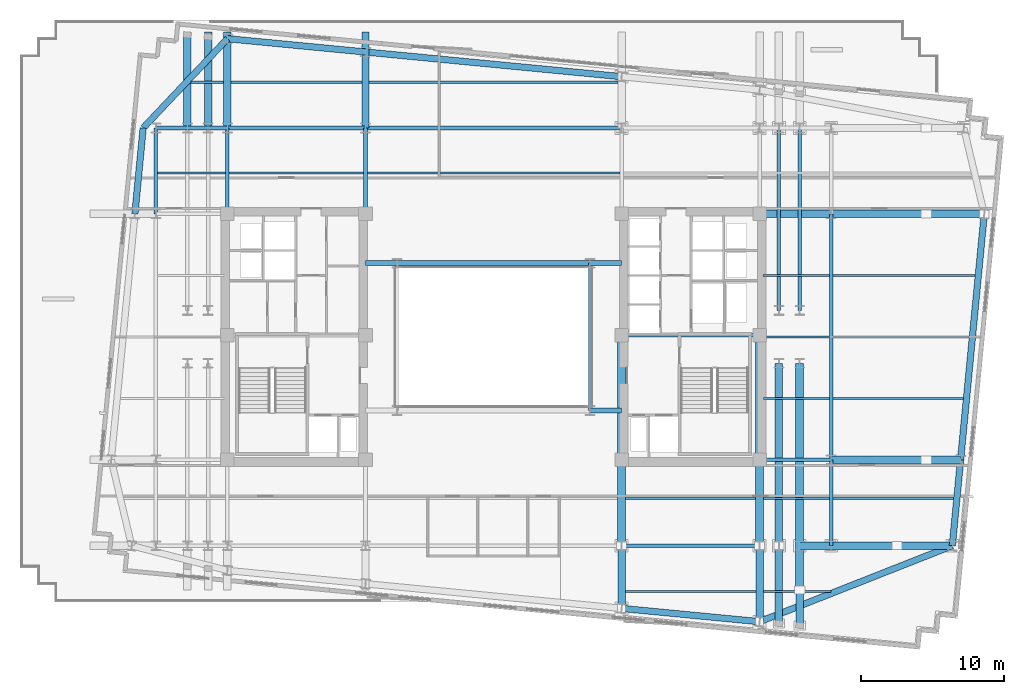
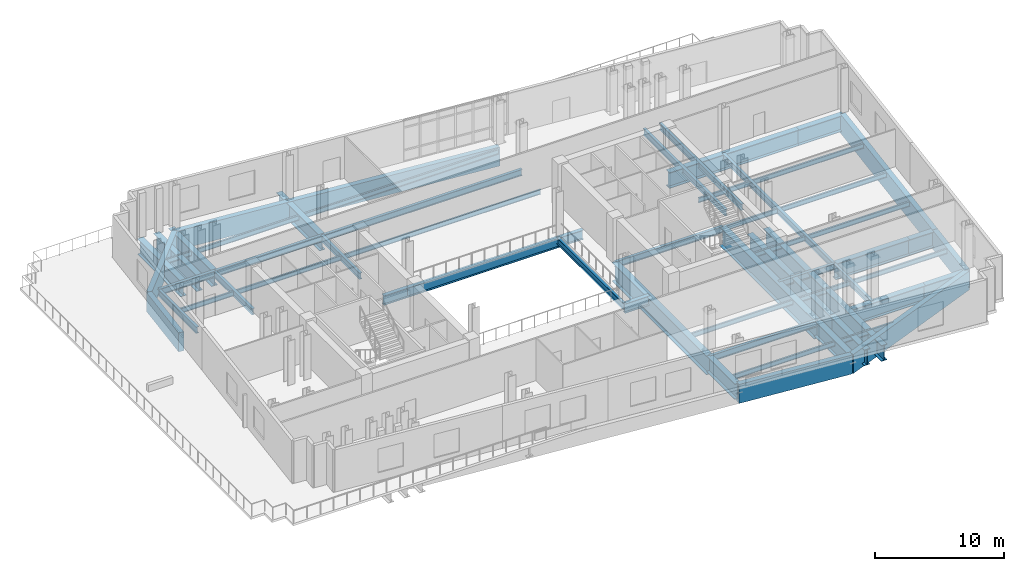
# One storey, part 2 of 11: 61 beams.
"""IFC4 building model written with IfcOpenShell, lengths in metres."""

import ifcopenshell
import ifcopenshell.guid

model = None  # the IFC model being written
_history = None  # IfcOwnerHistory: only IFC2X3 demands one
_inside = {}  # id of a spatial element -> (the spatial element, [elements in it])
_under = {}  # id of a project, library or spatial element -> (it, [spatial elements below it])
_declared = {}  # id of a project -> (the project, [libraries it declares])
_typed = {}  # id of a type object -> (the type object, [elements of that type])
_made_of = {}  # id of a material, layer set ... -> (it, [elements and type objects made of it])


def new_model(schema):
    """Start an empty IFC model of exactly this schema.

    Asked for "IFC4X3", IfcOpenShell would pick the latest addendum, in which some entities
    have other attributes; the version numbers below select the first issue.
    IFC2X3 requires an IfcOwnerHistory on every rooted entity: one is made here for all.
    """
    global model, _history
    if schema == "IFC4X3":
        model = ifcopenshell.file(schema_version=(4, 3, 0, 0))
    else:
        model = ifcopenshell.file(schema=schema)
    _inside.clear()
    _under.clear()
    _declared.clear()
    _typed.clear()
    _made_of.clear()
    _history = None
    if model.schema == "IFC2X3":
        org = make("IfcOrganization", Name="unknown")
        user = make(
            "IfcPersonAndOrganization",
            ThePerson=make("IfcPerson", FamilyName="unknown"),
            TheOrganization=org,
        )
        app = make(
            "IfcApplication",
            ApplicationDeveloper=org,
            Version="unknown",
            ApplicationFullName="unknown",
            ApplicationIdentifier="unknown",
        )
        _history = make(
            "IfcOwnerHistory",
            OwningUser=user,
            OwningApplication=app,
            ChangeAction="ADDED",
            CreationDate=0,
        )
    return model


def make(cls, **values):
    """One entity of the class cls with the attributes given. An attribute that is None is left unset."""
    return model.create_entity(
        cls, **{name: value for name, value in values.items() if value is not None}
    )


def rooted(cls, **values):
    """An entity with a GlobalId (a new one), such as an element, a storey or a relation."""
    return make(cls, GlobalId=ifcopenshell.guid.new(), OwnerHistory=_history, **values)


def si_unit(unit_type, name, prefix=None):
    """IfcSIUnit, for example si_unit("LENGTHUNIT", "METRE", prefix="MILLI")."""
    return make("IfcSIUnit", UnitType=unit_type, Prefix=prefix, Name=name)


def assignment(units):
    """IfcUnitAssignment: the units of a project."""
    return None if units is None else make("IfcUnitAssignment", Units=units)


def point(xyz):
    """IfcCartesianPoint."""
    return None if xyz is None else make("IfcCartesianPoint", Coordinates=xyz)


def direction(xyz):
    """IfcDirection."""
    return None if xyz is None else make("IfcDirection", DirectionRatios=xyz)


def frame(location, z_axis=None, x_axis=None):
    """IfcAxis2Placement3D, a coordinate frame: its origin and axes. An axis left out is left unset."""
    return make(
        "IfcAxis2Placement3D",
        Location=point(location),
        Axis=direction(z_axis),
        RefDirection=direction(x_axis),
    )


def frame_2d(location, x_axis=None):
    """IfcAxis2Placement2D, a coordinate frame in the plane: its origin and x axis."""
    return make(
        "IfcAxis2Placement2D", Location=point(location), RefDirection=direction(x_axis)
    )


def origin():
    """The frame at (0, 0, 0) with its axes left unset."""
    return frame((0.0, 0.0, 0.0))


def origin_2d():
    """The frame at (0, 0) in the plane with its x axis left unset."""
    return frame_2d((0.0, 0.0))


def place(relative_to, where):
    """IfcLocalPlacement: puts the frame where relative to a parent placement (None: the world)."""
    return make(
        "IfcLocalPlacement", PlacementRelTo=relative_to, RelativePlacement=where
    )


def context(
    kind, dimensions, precision=None, world=None, true_north=None, identifier=None
):
    """IfcGeometricRepresentationContext, for example the 3D "Model" context."""
    return make(
        "IfcGeometricRepresentationContext",
        ContextIdentifier=identifier,
        ContextType=kind,
        CoordinateSpaceDimension=dimensions,
        Precision=precision,
        WorldCoordinateSystem=world,
        TrueNorth=true_north,
    )


def subcontext(parent, identifier, kind, view, scale=None):
    """IfcGeometricRepresentationSubContext, for example "Body" below "Model"."""
    return make(
        "IfcGeometricRepresentationSubContext",
        ContextIdentifier=identifier,
        ContextType=kind,
        ParentContext=parent,
        TargetScale=scale,
        TargetView=view,
    )


def project(units=None, contexts=None):
    """IfcProject with its units and contexts."""
    return rooted(
        "IfcProject",
        Name="project",
        RepresentationContexts=contexts,
        UnitsInContext=assignment(units),
    )


def spatial(cls, under=None, at=None, **own):
    """A site, building, storey or space (cls), placed at a placement, below another one or the project."""
    s = rooted(cls, ObjectPlacement=at, **own)
    if under is not None:
        _under.setdefault(under.id(), (under, []))[1].append(s)
    return s


def profile(cls, at=None, kind="AREA", **sizes):
    """A parametric profile (cls). Its sizes go by their IFC names, for example OverallWidth=200.0."""
    return make(cls, ProfileType=kind, Position=at, **sizes)


def rectangle(**sizes):
    """IfcRectangleProfileDef."""
    return profile("IfcRectangleProfileDef", **sizes)


def i_section(**sizes):
    """IfcIShapeProfileDef."""
    return profile("IfcIShapeProfileDef", **sizes)


def extrude(swept, where, along, depth):
    """IfcExtrudedAreaSolid: the profile swept, set in the frame where, extruded along a direction by depth."""
    return make(
        "IfcExtrudedAreaSolid",
        SweptArea=swept,
        Position=where,
        ExtrudedDirection=direction(along),
        Depth=depth,
    )


def shape(context_of_items, identifier, shape_type, items):
    """IfcShapeRepresentation: the items that make up one representation, for example the "Body"."""
    return make(
        "IfcShapeRepresentation",
        ContextOfItems=context_of_items,
        RepresentationIdentifier=identifier,
        RepresentationType=shape_type,
        Items=items,
    )


def material(Name=None, Category=None):
    """IfcMaterial."""
    return make("IfcMaterial", Name=Name, Category=Category)


def material_profile(
    of_material, cross_section, Name=None, Category=None, Priority=None
):
    """IfcMaterialProfile: a cross section and its material."""
    return make(
        "IfcMaterialProfile",
        Name=Name,
        Material=of_material,
        Profile=cross_section,
        Priority=Priority,
        Category=Category,
    )


def profile_set(profiles, Name=None, composite=None):
    """IfcMaterialProfileSet."""
    return make(
        "IfcMaterialProfileSet",
        Name=Name,
        MaterialProfiles=profiles,
        CompositeProfile=composite,
    )


def made_of(thing, what):
    """Note that an element or type object is made of a material, layer set ...; save() writes the relation."""
    if what is not None:
        _made_of.setdefault(what.id(), (what, []))[1].append(thing)
    return thing


def type_object(cls, material=None, **own):
    """A type object (cls), such as IfcWallType, which elements share."""
    return made_of(rooted(cls, **own), material)


def element(
    cls,
    number,
    at=None,
    inside=None,
    cuts=None,
    type_object=None,
    material=None,
    context=None,
    identifier="Body",
    shape_type=None,
    held_by="IfcProductDefinitionShape",
    body=None,
    shapes=None,
    **own,
):
    """One element of the class cls, such as IfcWall. Its Tag is "e" and its number.

    at: its placement. inside: the storey or other place that contains it. cuts: it is an
    opening in that element (IfcRelVoidsElement). A single representation is given by context,
    identifier, shape_type and body (its items); several are given by shapes. held_by: the class
    of the entity that holds the representations. save() writes the other relations.
    """
    e = rooted(cls, Tag="e%d" % number, ObjectPlacement=at, **own)
    if body is not None:
        shapes = [shape(context, identifier, shape_type, body)]
    if shapes is not None:
        e.Representation = make(held_by, Representations=shapes)
    if inside is not None:
        _inside.setdefault(inside.id(), (inside, []))[1].append(e)
    if cuts is not None:
        rooted(
            "IfcRelVoidsElement", RelatingBuildingElement=cuts, RelatedOpeningElement=e
        )
    if type_object is not None:
        _typed.setdefault(type_object.id(), (type_object, []))[1].append(e)
    return made_of(e, material)


def aggregate(whole, parts):
    """IfcRelAggregates: a whole, such as a stair, and the parts it consists of."""
    return rooted("IfcRelAggregates", RelatingObject=whole, RelatedObjects=parts)


def save(model, path):
    """Write the relations noted so far, then the file.

    IfcRelAggregates (storeys below a building ...), IfcRelContainedInSpatialStructure (elements
    in a storey), IfcRelDefinesByType, IfcRelAssociatesMaterial and IfcRelDeclares: one each for
    every whole, place, type object, material and project.
    """
    for whole, parts in _under.values():
        aggregate(whole, parts)
    for where, things in _inside.values():
        rooted(
            "IfcRelContainedInSpatialStructure",
            RelatedElements=things,
            RelatingStructure=where,
        )
    for kind, things in _typed.values():
        rooted("IfcRelDefinesByType", RelatedObjects=things, RelatingType=kind)
    for what, things in _made_of.values():
        rooted("IfcRelAssociatesMaterial", RelatedObjects=things, RelatingMaterial=what)
    for by, libraries in _declared.values():
        rooted("IfcRelDeclares", RelatingContext=by, RelatedDefinitions=libraries)
    model.write(path)


model = new_model("IFC4")

# Units and contexts
model_context = context("Model", 3, precision=1e-05, world=origin(), true_north=direction((0.0, 1.0)))
body_context = subcontext(model_context, "Body", "Model", "MODEL_VIEW")
ifc_project = project(units=[si_unit("LENGTHUNIT", "METRE"), si_unit("AREAUNIT", "SQUARE_METRE"), si_unit("VOLUMEUNIT", "CUBIC_METRE"), si_unit("PLANEANGLEUNIT", "RADIAN"), si_unit("MASSUNIT", "GRAM", prefix="KILO")], contexts=[model_context])

# Site, building, storey
site_placement = place(None, origin())
site = spatial("IfcSite", under=ifc_project, at=site_placement, CompositionType="ELEMENT")
building_placement = place(site_placement, origin())
building = spatial("IfcBuilding", under=site, at=building_placement, Name="Velakula Bourse", CompositionType="ELEMENT")
storey_placement = place(building_placement, frame((0.0, 0.0, 156.199951171875)))
storey = spatial("IfcBuildingStorey", under=building, at=storey_placement, Name="L42", CompositionType="ELEMENT", Elevation=156.199951171875)

# Beams
ifc_material_1 = material(Name="Steel IS 2062 Grade 350 (E350)", Category="steel")
ifc_material_profile_1 = material_profile(ifc_material_1, i_section(OverallWidth=0.25, OverallDepth=0.60009765625, WebThickness=0.01123046875, FlangeThickness=0.021240234375, at=origin_2d()), Name="Steel IS 2062 Grade 350 (E350)")
ifc_profile_set_1 = profile_set([ifc_material_profile_1], Name="Steel IS 2062 Grade 350 (E350)")
beam_type_1 = type_object("IfcBeamType", Name="BM-GRD-600M", PredefinedType="BEAM", material=ifc_profile_set_1)
beam_1_placement = place(storey_placement, frame((8.949951171875, 0.10009765625, -0.579833984375), z_axis=(1.0, 0.0, 0.0), x_axis=(0.0, 1.0, 0.0)))
element("IfcBeam", 1, at=beam_1_placement, inside=storey, type_object=beam_type_1, Name="L42 Primary Backbone Girder CRE-M", PredefinedType="BEAM", context=body_context, shape_type="SweptSolid", body=[
    extrude(i_section(OverallWidth=0.25, OverallDepth=0.60009765625, WebThickness=0.01123046875, FlangeThickness=0.021240234375, at=origin_2d()), origin(), (0.0, 0.0, 1.0), 9.650146484375),
])
beam_2_placement = place(storey_placement, frame((6.75, -5.14990234375, -0.579833984375), z_axis=(0.0, 1.0, 0.0), x_axis=(-1.0, 0.0, 0.0)))
element("IfcBeam", 2, at=beam_2_placement, inside=storey, type_object=beam_type_1, Name="L42 Primary Backbone Girder SPN-E", PredefinedType="BEAM", context=body_context, shape_type="SweptSolid", body=[
    extrude(i_section(OverallWidth=0.25, OverallDepth=0.60009765625, WebThickness=0.01123046875, FlangeThickness=0.021240234375, at=origin_2d()), origin(), (0.0, 0.0, 1.0), 10.2998046875),
])
for number, where, z_axis, x_axis, name in (
    (3, (-18.60009765625, 8.60009765625, -0.579833984375), (0.0, 1.0, 0.0), (-1.0, 0.0, 0.0), "L42 Fulcrum Grid Girder FLC-WN"),
    (4, (-8.949951171875, 8.60009765625, -0.579833984375), (0.0, 1.0, 0.0), (-1.0, 0.0, 0.0), "L42 Fulcrum Grid Girder FLC-WCN"),
):
    element("IfcBeam", number, at=place(storey_placement, frame(where, z_axis=z_axis, x_axis=x_axis)), inside=storey, type_object=beam_type_1, Name=name, PredefinedType="BEAM", context=body_context, shape_type="SweptSolid", body=[
        extrude(i_section(OverallWidth=0.25, OverallDepth=0.60009765625, WebThickness=0.01123046875, FlangeThickness=0.021240234375, at=origin_2d()), origin(), (0.0, 0.0, 1.0), 6.0),
    ])
for number, where, z_axis, x_axis, name in (
    (5, (8.949951171875, -14.60009765625, -0.579833984375), (1.0, 0.0, 0.0), (0.0, 1.0, 0.0), "L42 Fulcrum Grid Girder FLC-S3"),
    (6, (-18.60009765625, 14.60009765625, -0.579833984375), (1.0, 0.0, 0.0), (0.0, 1.0, 0.0), "L42 Fulcrum Grid Girder FLC-N1"),
):
    element("IfcBeam", number, at=place(storey_placement, frame(where, z_axis=z_axis, x_axis=x_axis)), inside=storey, type_object=beam_type_1, Name=name, PredefinedType="BEAM", context=body_context, shape_type="SweptSolid", body=[
        extrude(i_section(OverallWidth=0.25, OverallDepth=0.60009765625, WebThickness=0.01123046875, FlangeThickness=0.021240234375, at=origin_2d()), origin(), (0.0, 0.0, 1.0), 9.650146484375),
    ])
beam_3_placement = place(storey_placement, frame((-8.949951171875, 14.60009765625, -0.579833984375), z_axis=(1.0, 0.0, 0.0), x_axis=(0.0, 1.0, 0.0)))
element("IfcBeam", 7, at=beam_3_placement, inside=storey, type_object=beam_type_1, Name="L42 Fulcrum Grid Girder FLC-N2", PredefinedType="BEAM", context=body_context, shape_type="SweptSolid", body=[
    extrude(i_section(OverallWidth=0.25, OverallDepth=0.60009765625, WebThickness=0.01123046875, FlangeThickness=0.021240234375, at=origin_2d()), origin(), (0.0, 0.0, 1.0), 17.89990234375),
])
for number, where, z_axis, x_axis, name in (
    (8, (19.949951171875, 1.85009765625, -0.579833984375), (0.0, 1.0, 0.0), (-1.0, 0.0, 0.0), "L42 Fulcrum Grid Girder FLC-PNE1"),
    (9, (21.39990234375, 1.85009765625, -0.579833984375), (0.0, 1.0, 0.0), (-1.0, 0.0, 0.0), "L42 Fulcrum Grid Girder FLC-PNE2"),
):
    element("IfcBeam", number, at=place(storey_placement, frame(where, z_axis=z_axis, x_axis=x_axis)), inside=storey, type_object=beam_type_1, Name=name, PredefinedType="BEAM", context=body_context, shape_type="SweptSolid", body=[
        extrude(i_section(OverallWidth=0.25, OverallDepth=0.60009765625, WebThickness=0.01123046875, FlangeThickness=0.021240234375, at=origin_2d()), origin(), (0.0, 0.0, 1.0), 12.75),
    ])
beam_4_placement = place(storey_placement, frame((-23.60009765625, 14.60009765625, -0.579833984375), z_axis=(1.0, 0.0, 0.0), x_axis=(0.0, 1.0, 0.0)))
element("IfcBeam", 10, at=beam_4_placement, inside=storey, type_object=beam_type_1, Name="L42 Fulcrum Grid Girder MWG-WN2", PredefinedType="BEAM", context=body_context, shape_type="SweptSolid", body=[
    extrude(i_section(OverallWidth=0.25, OverallDepth=0.60009765625, WebThickness=0.01123046875, FlangeThickness=0.021240234375, at=origin_2d()), origin(), (0.0, 0.0, 1.0), 5.0),
])
beam_5_placement = place(storey_placement, frame((-23.60009765625, 8.60009765625, -0.579833984375), z_axis=(0.0, 1.0, 0.0), x_axis=(-1.0, 0.0, 0.0)))
element("IfcBeam", 11, at=beam_5_placement, inside=storey, type_object=beam_type_1, Name="L42 Fulcrum Grid Girder MWG-WNS3", PredefinedType="BEAM", context=body_context, shape_type="SweptSolid", body=[
    extrude(i_section(OverallWidth=0.25, OverallDepth=0.60009765625, WebThickness=0.01123046875, FlangeThickness=0.021240234375, at=origin_2d()), origin(), (0.0, 0.0, 1.0), 6.0),
])
beam_6_placement = place(storey_placement, frame((18.60009765625, -8.60009765625, -0.579833984375), z_axis=(1.0, 0.0, 0.0), x_axis=(0.0, 1.0, 0.0)))
element("IfcBeam", 12, at=beam_6_placement, inside=storey, type_object=beam_type_1, Name="L42 Fulcrum Grid Girder MWG-ES2", PredefinedType="BEAM", context=body_context, shape_type="SweptSolid", body=[
    extrude(i_section(OverallWidth=0.25, OverallDepth=0.60009765625, WebThickness=0.01123046875, FlangeThickness=0.021240234375, at=origin_2d()), origin(), (0.0, 0.0, 1.0), 5.0),
])
beam_7_placement = place(storey_placement, frame((23.60009765625, -14.60009765625, -0.579833984375), z_axis=(0.0, 1.0, 0.0), x_axis=(-1.0, 0.0, 0.0)))
element("IfcBeam", 13, at=beam_7_placement, inside=storey, type_object=beam_type_1, Name="L42 Fulcrum Grid Girder MWG-ENS1", PredefinedType="BEAM", context=body_context, shape_type="SweptSolid", body=[
    extrude(i_section(OverallWidth=0.25, OverallDepth=0.60009765625, WebThickness=0.01123046875, FlangeThickness=0.021240234375, at=origin_2d()), origin(), (0.0, 0.0, 1.0), 6.0),
])
beam_8_placement = place(storey_placement, frame((23.60009765625, -8.60009765625, -0.579833984375), z_axis=(0.0, 1.0, 0.0), x_axis=(-1.0, 0.0, 0.0)))
element("IfcBeam", 14, at=beam_8_placement, inside=storey, type_object=beam_type_1, Name="L42 Fulcrum Grid Girder MWG-ENS2", PredefinedType="BEAM", context=body_context, shape_type="SweptSolid", body=[
    extrude(i_section(OverallWidth=0.25, OverallDepth=0.60009765625, WebThickness=0.01123046875, FlangeThickness=0.021240234375, at=origin_2d()), origin(), (0.0, 0.0, 1.0), 17.2001953125),
])
ifc_material_profile_2 = material_profile(ifc_material_1, i_section(OverallWidth=0.35009765625, OverallDepth=0.89990234375, WebThickness=0.02001953125, FlangeThickness=0.031982421875, at=origin_2d()), Name="Steel IS 2062 Grade 350 (E350)")
ifc_profile_set_2 = profile_set([ifc_material_profile_2], Name="Steel IS 2062 Grade 350 (E350)")
beam_type_2 = type_object("IfcBeamType", Name="BM-LNK-900", PredefinedType="BEAM", material=ifc_profile_set_2)
for number, where, z_axis, x_axis, name in (
    (15, (6.75, -5.14990234375, -0.72998046875), (1.0, 0.0, 0.0), (0.0, 1.0, 0.0), "L42 Primary Backbone Girder LNK-S3"),
    (16, (-8.949951171875, 5.14990234375, -0.72998046875), (1.0, 0.0, 0.0), (0.0, 1.0, 0.0), "L42 Primary Backbone Girder LNK-N1"),
):
    element("IfcBeam", number, at=place(storey_placement, frame(where, z_axis=z_axis, x_axis=x_axis)), inside=storey, type_object=beam_type_2, Name=name, PredefinedType="BEAM", context=body_context, shape_type="SweptSolid", body=[
        extrude(i_section(OverallWidth=0.35009765625, OverallDepth=0.89990234375, WebThickness=0.02001953125, FlangeThickness=0.031982421875, at=origin_2d()), origin(), (0.0, 0.0, 1.0), 2.199951171875),
    ])
beam_9_placement = place(storey_placement, frame((-6.75, 5.14990234375, -0.72998046875), z_axis=(1.0, 0.0, 0.0), x_axis=(0.0, 1.0, 0.0)))
element("IfcBeam", 17, at=beam_9_placement, inside=storey, type_object=beam_type_2, Name="L42 Primary Backbone Girder LNK-N2", PredefinedType="BEAM", context=body_context, shape_type="SweptSolid", body=[
    extrude(i_section(OverallWidth=0.35009765625, OverallDepth=0.89990234375, WebThickness=0.02001953125, FlangeThickness=0.031982421875, at=origin_2d()), origin(), (0.0, 0.0, 1.0), 13.5),
])
beam_10_placement = place(storey_placement, frame((6.75, 5.14990234375, -0.72998046875), z_axis=(1.0, 0.0, 0.0), x_axis=(0.0, 1.0, 0.0)))
element("IfcBeam", 18, at=beam_10_placement, inside=storey, type_object=beam_type_2, Name="L42 Primary Backbone Girder LNK-N3", PredefinedType="BEAM", context=body_context, shape_type="SweptSolid", body=[
    extrude(i_section(OverallWidth=0.35009765625, OverallDepth=0.89990234375, WebThickness=0.02001953125, FlangeThickness=0.031982421875, at=origin_2d()), origin(), (0.0, 0.0, 1.0), 2.199951171875),
])
ifc_material_profile_3 = material_profile(ifc_material_1, i_section(OverallWidth=0.14990234375, OverallDepth=0.449951171875, WebThickness=0.009521484375, FlangeThickness=0.017333984375, at=origin_2d()), Name="Steel IS 2062 Grade 350 (E350)")
ifc_profile_set_3 = profile_set([ifc_material_profile_3], Name="Steel IS 2062 Grade 350 (E350)")
beam_type_3 = type_object("IfcBeamType", Name="JST-TWR-450", PredefinedType="JOIST", material=ifc_profile_set_3)
beam_11_placement = place(storey_placement, frame((9.2099609375, -17.800048828125, -0.5048828125), z_axis=(1.0, 0.0, 0.0), x_axis=(0.0, 1.0, 0.0)))
element("IfcBeam", 19, at=beam_11_placement, inside=storey, type_object=beam_type_3, Name="L42 Trading Floor Composite Joist 02", PredefinedType="JOIST", context=body_context, shape_type="SweptSolid", body=[
    extrude(i_section(OverallWidth=0.14990234375, OverallDepth=0.449951171875, WebThickness=0.009521484375, FlangeThickness=0.017333984375, at=origin_2d()), origin(), (0.0, 0.0, 1.0), 9.130126953125),
])
beam_12_placement = place(storey_placement, frame((18.860107421875, -17.800048828125, -0.5048828125), z_axis=(1.0, 0.0, 0.0), x_axis=(0.0, 1.0, 0.0)))
element("IfcBeam", 20, at=beam_12_placement, inside=storey, type_object=beam_type_3, Name="L42 Trading Floor Composite Joist 03", PredefinedType="JOIST", context=body_context, shape_type="SweptSolid", body=[
    extrude(i_section(OverallWidth=0.14990234375, OverallDepth=0.449951171875, WebThickness=0.009521484375, FlangeThickness=0.017333984375, at=origin_2d()), origin(), (0.0, 0.0, 1.0), 4.739990234375),
])
beam_13_placement = place(storey_placement, frame((9.22509765625, -11.300048828125, -0.5048828125), z_axis=(1.0, 0.0, 0.0), x_axis=(0.0, 1.0, 0.0)))
element("IfcBeam", 21, at=beam_13_placement, inside=storey, type_object=beam_type_3, Name="L42 Trading Floor Composite Joist 08", PredefinedType="JOIST", context=body_context, shape_type="SweptSolid", body=[
    extrude(i_section(OverallWidth=0.14990234375, OverallDepth=0.449951171875, WebThickness=0.009521484375, FlangeThickness=0.017333984375, at=origin_2d()), origin(), (0.0, 0.0, 1.0), 9.099853515625),
])
beam_14_placement = place(storey_placement, frame((18.875, -11.300048828125, -0.5048828125), z_axis=(1.0, 0.0, 0.0), x_axis=(0.0, 1.0, 0.0)))
element("IfcBeam", 22, at=beam_14_placement, inside=storey, type_object=beam_type_3, Name="L42 Trading Floor Composite Joist 09", PredefinedType="JOIST", context=body_context, shape_type="SweptSolid", body=[
    extrude(i_section(OverallWidth=0.14990234375, OverallDepth=0.449951171875, WebThickness=0.009521484375, FlangeThickness=0.017333984375, at=origin_2d()), origin(), (0.0, 0.0, 1.0), 4.60009765625),
])
beam_15_placement = place(storey_placement, frame((23.72509765625, -11.300048828125, -0.5048828125), z_axis=(1.0, 0.0, 0.0), x_axis=(0.0, 1.0, 0.0)))
element("IfcBeam", 23, at=beam_15_placement, inside=storey, type_object=beam_type_3, Name="L42 Trading Floor Composite Joist 10", PredefinedType="JOIST", context=body_context, shape_type="SweptSolid", body=[
    extrude(i_section(OverallWidth=0.14990234375, OverallDepth=0.449951171875, WebThickness=0.009521484375, FlangeThickness=0.017333984375, at=origin_2d()), origin(), (0.0, 0.0, 1.0), 8.437744140625),
])
beam_16_placement = place(storey_placement, frame((-23.47509765625, 11.449951171875, -0.5048828125), z_axis=(1.0, 0.0, 0.0), x_axis=(0.0, 1.0, 0.0)))
element("IfcBeam", 24, at=beam_16_placement, inside=storey, type_object=beam_type_3, Name="L42 Trading Floor Composite Joist 11", PredefinedType="JOIST", context=body_context, shape_type="SweptSolid", body=[
    extrude(i_section(OverallWidth=0.14990234375, OverallDepth=0.449951171875, WebThickness=0.009521484375, FlangeThickness=0.017333984375, at=origin_2d()), origin(), (0.0, 0.0, 1.0), 4.75),
])
beam_17_placement = place(storey_placement, frame((-18.47509765625, 11.449951171875, -0.5048828125), z_axis=(1.0, 0.0, 0.0), x_axis=(0.0, 1.0, 0.0)))
element("IfcBeam", 25, at=beam_17_placement, inside=storey, type_object=beam_type_3, Name="L42 Trading Floor Composite Joist 12", PredefinedType="JOIST", context=body_context, shape_type="SweptSolid", body=[
    extrude(i_section(OverallWidth=0.14990234375, OverallDepth=0.449951171875, WebThickness=0.009521484375, FlangeThickness=0.017333984375, at=origin_2d()), origin(), (0.0, 0.0, 1.0), 9.400146484375),
])
beam_18_placement = place(storey_placement, frame((-8.824951171875, 11.449951171875, -0.5048828125), z_axis=(1.0, 0.0, 0.0), x_axis=(0.0, 1.0, 0.0)))
element("IfcBeam", 26, at=beam_18_placement, inside=storey, type_object=beam_type_3, Name="L42 Trading Floor Composite Joist 13", PredefinedType="JOIST", context=body_context, shape_type="SweptSolid", body=[
    extrude(i_section(OverallWidth=0.14990234375, OverallDepth=0.449951171875, WebThickness=0.009521484375, FlangeThickness=0.017333984375, at=origin_2d()), origin(), (0.0, 0.0, 1.0), 17.64990234375),
])
beam_19_placement = place(storey_placement, frame((-21.139892578125, 17.800048828125, -0.5048828125), z_axis=(1.0, 0.0, 0.0), x_axis=(0.0, 1.0, 0.0)))
element("IfcBeam", 27, at=beam_19_placement, inside=storey, type_object=beam_type_3, Name="L42 Trading Floor Composite Joist 17", PredefinedType="JOIST", context=body_context, shape_type="SweptSolid", body=[
    extrude(i_section(OverallWidth=0.14990234375, OverallDepth=0.449951171875, WebThickness=0.009521484375, FlangeThickness=0.017333984375, at=origin_2d()), origin(), (0.0, 0.0, 1.0), 2.27978515625),
])
beam_20_placement = place(storey_placement, frame((-18.340087890625, 17.800048828125, -0.5048828125), z_axis=(1.0, 0.0, 0.0), x_axis=(0.0, 1.0, 0.0)))
element("IfcBeam", 28, at=beam_20_placement, inside=storey, type_object=beam_type_3, Name="L42 Trading Floor Composite Joist 18", PredefinedType="JOIST", context=body_context, shape_type="SweptSolid", body=[
    extrude(i_section(OverallWidth=0.14990234375, OverallDepth=0.449951171875, WebThickness=0.009521484375, FlangeThickness=0.017333984375, at=origin_2d()), origin(), (0.0, 0.0, 1.0), 9.130126953125),
])
beam_21_placement = place(storey_placement, frame((-8.68994140625, 17.800048828125, -0.5048828125), z_axis=(1.0, 0.0, 0.0), x_axis=(0.0, 1.0, 0.0)))
element("IfcBeam", 29, at=beam_21_placement, inside=storey, type_object=beam_type_3, Name="L42 Trading Floor Composite Joist 19", PredefinedType="JOIST", context=body_context, shape_type="SweptSolid", body=[
    extrude(i_section(OverallWidth=0.14990234375, OverallDepth=0.449951171875, WebThickness=0.009521484375, FlangeThickness=0.017333984375, at=origin_2d()), origin(), (0.0, 0.0, 1.0), 17.3798828125),
])
beam_22_placement = place(storey_placement, frame((18.875, -4.300048828125, -0.5048828125), z_axis=(1.0, 0.0, 0.0), x_axis=(0.0, 1.0, 0.0)))
element("IfcBeam", 30, at=beam_22_placement, inside=storey, type_object=beam_type_3, Name="L42 Trading Floor Composite Joist 23", PredefinedType="JOIST", context=body_context, shape_type="SweptSolid", body=[
    extrude(i_section(OverallWidth=0.14990234375, OverallDepth=0.449951171875, WebThickness=0.009521484375, FlangeThickness=0.017333984375, at=origin_2d()), origin(), (0.0, 0.0, 1.0), 4.60009765625),
])
beam_23_placement = place(storey_placement, frame((23.72509765625, -4.300048828125, -0.5048828125), z_axis=(1.0, 0.0, 0.0), x_axis=(0.0, 1.0, 0.0)))
element("IfcBeam", 31, at=beam_23_placement, inside=storey, type_object=beam_type_3, Name="L42 Trading Floor Composite Joist 24", PredefinedType="JOIST", context=body_context, shape_type="SweptSolid", body=[
    extrude(i_section(OverallWidth=0.14990234375, OverallDepth=0.449951171875, WebThickness=0.009521484375, FlangeThickness=0.017333984375, at=origin_2d()), origin(), (0.0, 0.0, 1.0), 9.11181640625),
])
beam_24_placement = place(storey_placement, frame((18.875, 0.0, -0.5048828125), z_axis=(1.0, 0.0, 0.0), x_axis=(0.0, 1.0, 0.0)))
element("IfcBeam", 32, at=beam_24_placement, inside=storey, type_object=beam_type_3, Name="L42 Trading Floor Composite Joist 27", PredefinedType="JOIST", context=body_context, shape_type="SweptSolid", body=[
    extrude(i_section(OverallWidth=0.14990234375, OverallDepth=0.449951171875, WebThickness=0.009521484375, FlangeThickness=0.017333984375, at=origin_2d()), origin(), (0.0, 0.0, 1.0), 4.60009765625),
])
beam_25_placement = place(storey_placement, frame((23.72509765625, 0.0, -0.5048828125), z_axis=(1.0, 0.0, 0.0), x_axis=(0.0, 1.0, 0.0)))
element("IfcBeam", 33, at=beam_25_placement, inside=storey, type_object=beam_type_3, Name="L42 Trading Floor Composite Joist 28", PredefinedType="JOIST", context=body_context, shape_type="SweptSolid", body=[
    extrude(i_section(OverallWidth=0.14990234375, OverallDepth=0.449951171875, WebThickness=0.009521484375, FlangeThickness=0.017333984375, at=origin_2d()), origin(), (0.0, 0.0, 1.0), 9.52587890625),
])
beam_26_placement = place(storey_placement, frame((18.85009765625, 4.300048828125, -0.5048828125), z_axis=(1.0, 0.0, 0.0), x_axis=(0.0, 1.0, 0.0)))
element("IfcBeam", 34, at=beam_26_placement, inside=storey, type_object=beam_type_3, Name="L42 Trading Floor Composite Joist 30", PredefinedType="JOIST", context=body_context, shape_type="SweptSolid", body=[
    extrude(i_section(OverallWidth=0.14990234375, OverallDepth=0.449951171875, WebThickness=0.009521484375, FlangeThickness=0.017333984375, at=origin_2d()), origin(), (0.0, 0.0, 1.0), 4.625),
])
beam_27_placement = place(storey_placement, frame((23.72509765625, 4.300048828125, -0.5048828125), z_axis=(1.0, 0.0, 0.0), x_axis=(0.0, 1.0, 0.0)))
element("IfcBeam", 35, at=beam_27_placement, inside=storey, type_object=beam_type_3, Name="L42 Trading Floor Composite Joist 31", PredefinedType="JOIST", context=body_context, shape_type="SweptSolid", body=[
    extrude(i_section(OverallWidth=0.14990234375, OverallDepth=0.449951171875, WebThickness=0.009521484375, FlangeThickness=0.017333984375, at=origin_2d()), origin(), (0.0, 0.0, 1.0), 9.93994140625),
])
ifc_material_2 = material(Name="Concrete M50 (fck 50 MPa)", Category="concrete")
ifc_material_profile_4 = material_profile(ifc_material_2, rectangle(XDim=0.449951171875, YDim=1.800048828125, at=origin_2d()), Name="Concrete M50 (fck 50 MPa)")
ifc_profile_set_4 = profile_set([ifc_material_profile_4], Name="Concrete M50 (fck 50 MPa)")
beam_type_4 = type_object("IfcBeamType", Name="SPN-TRF-1800", PredefinedType="SPANDREL", material=ifc_profile_set_4)
for number, where, z_axis, x_axis, name in (
    (36, (8.949951171875, -18.9814453125, -1.179931640625), (0.99539623971, -0.095845323155, 0.0), (0.095845323155, 0.99539623971, 0.0), "L42 Brick-Faced Precast Spandrel S3-S4"),
    (37, (-18.60009765625, 20.84228515625, -1.179931640625), (0.99539623971, -0.095845323155, 0.0), (0.095845323155, 0.99539623971, 0.0), "L42 Brick-Faced Precast Spandrel N1-N2"),
):
    element("IfcBeam", number, at=place(storey_placement, frame(where, z_axis=z_axis, x_axis=x_axis)), inside=storey, type_object=beam_type_4, Name=name, PredefinedType="SPANDREL", context=body_context, shape_type="SweptSolid", body=[
        extrude(rectangle(XDim=0.449951171875, YDim=1.800048828125, at=origin_2d()), origin(), (0.0, 0.0, 1.0), 9.69482421875),
    ])
beam_28_placement = place(storey_placement, frame((-8.949951171875, 19.9130859375, -1.179931640625), z_axis=(0.995397131467, -0.095836061418, 0.0), x_axis=(0.095836061418, 0.995397131467, 0.0)))
element("IfcBeam", 38, at=beam_28_placement, inside=storey, type_object=beam_type_4, Name="L42 Brick-Faced Precast Spandrel N2-N3", PredefinedType="SPANDREL", context=body_context, shape_type="SweptSolid", body=[
    extrude(rectangle(XDim=0.449951171875, YDim=1.800048828125, at=origin_2d()), origin(), (0.0, 0.0, 1.0), 17.982666015625),
])
for number, where, z_axis, x_axis, name in (
    (39, (-25.068115234375, 8.60009765625, -1.179931640625), (0.095829714309, 0.995397742541, 0.0), (-0.995397742541, 0.095829714309, 0.0), "L42 Brick-Faced Precast Spandrel W3-W4"),
    (40, (32.0712890625, -14.60009765625, -1.179931640625), (0.095829714309, 0.995397742541, 0.0), (-0.995397742541, 0.095829714309, 0.0), "L42 Brick-Faced Precast Spandrel E1-E2"),
):
    element("IfcBeam", number, at=place(storey_placement, frame(where, z_axis=z_axis, x_axis=x_axis)), inside=storey, type_object=beam_type_4, Name=name, PredefinedType="SPANDREL", context=body_context, shape_type="SweptSolid", body=[
        extrude(rectangle(XDim=0.449951171875, YDim=1.800048828125, at=origin_2d()), origin(), (0.0, 0.0, 1.0), 6.02783203125),
    ])
beam_29_placement = place(storey_placement, frame((32.64892578125, -8.60009765625, -1.179931640625), z_axis=(0.095849167925, 0.995395869495, 0.0), x_axis=(-0.995395869495, 0.095849167925, 0.0)))
element("IfcBeam", 41, at=beam_29_placement, inside=storey, type_object=beam_type_4, Name="L42 Brick-Faced Precast Spandrel E2-E3", PredefinedType="SPANDREL", context=body_context, shape_type="SweptSolid", body=[
    extrude(rectangle(XDim=0.449951171875, YDim=1.800048828125, at=origin_2d()), origin(), (0.0, 0.0, 1.0), 17.27978515625),
])
beam_30_placement = place(storey_placement, frame((18.60009765625, -19.91064453125, -1.179931640625), z_axis=(0.930320901537, 0.366746533949, 0.0), x_axis=(-0.366746533949, 0.930320901537, 0.0)))
element("IfcBeam", 42, at=beam_30_placement, inside=storey, type_object=beam_type_4, Name="L42 Brick-Faced Precast Spandrel S4-E1", PredefinedType="SPANDREL", context=body_context, shape_type="SweptSolid", body=[
    extrude(rectangle(XDim=0.449951171875, YDim=1.800048828125, at=origin_2d()), origin(), (0.0, 0.0, 1.0), 14.480224609375),
])
beam_31_placement = place(storey_placement, frame((-18.60009765625, 20.84228515625, -1.179931640625), z_axis=(-0.686314417505, -0.727304970645, 0.0), x_axis=(0.727304970645, -0.686314417505, 0.0)))
element("IfcBeam", 43, at=beam_31_placement, inside=storey, type_object=beam_type_4, Name="L42 Brick-Faced Precast Spandrel N1-W4", PredefinedType="SPANDREL", context=body_context, shape_type="SweptSolid", body=[
    extrude(rectangle(XDim=0.449951171875, YDim=1.800048828125, at=origin_2d()), origin(), (0.0, 0.0, 1.0), 8.58251953125),
])
ifc_material_3 = material(Name="Steel IS 2062 Grade 450 (E450)", Category="steel")
ifc_material_profile_5 = material_profile(ifc_material_3, i_section(OverallWidth=0.52001953125, OverallDepth=1.5, WebThickness=0.030029296875, FlangeThickness=0.048095703125, at=origin_2d()), Name="Steel IS 2062 Grade 450 (E450)")
ifc_profile_set_5 = profile_set([ifc_material_profile_5], Name="Steel IS 2062 Grade 450 (E450)")
beam_type_5 = type_object("IfcBeamType", Name="TB-CANT-1500", PredefinedType="BEAM", material=ifc_profile_set_5)
beam_32_placement = place(storey_placement, frame((8.949951171875, -14.60009765625, -1.030029296875), z_axis=(0.0, -1.0, 0.0), x_axis=(1.0, 0.0, 0.0)))
element("IfcBeam", 44, at=beam_32_placement, inside=storey, type_object=beam_type_5, Name="L42 Primary Cantilever Transfer Chord S3", PredefinedType="BEAM", context=body_context, shape_type="SweptSolid", body=[
    extrude(i_section(OverallWidth=0.52001953125, OverallDepth=1.5, WebThickness=0.030029296875, FlangeThickness=0.048095703125, at=origin_2d()), origin(), (0.0, 0.0, 1.0), 4.38134765625),
])
beam_33_placement = place(storey_placement, frame((18.60009765625, -14.60009765625, -1.030029296875), z_axis=(0.0, -1.0, 0.0), x_axis=(1.0, 0.0, 0.0)))
element("IfcBeam", 45, at=beam_33_placement, inside=storey, type_object=beam_type_5, Name="L42 Primary Cantilever Transfer Chord S4", PredefinedType="BEAM", context=body_context, shape_type="SweptSolid", body=[
    extrude(i_section(OverallWidth=0.52001953125, OverallDepth=1.5, WebThickness=0.030029296875, FlangeThickness=0.048095703125, at=origin_2d()), origin(), (0.0, 0.0, 1.0), 5.310546875),
])
for number, where, z_axis, x_axis, name in (
    (46, (-18.60009765625, 14.60009765625, -1.030029296875), (0.0, 1.0, 0.0), (-1.0, 0.0, 0.0), "L42 Block B4 Transfer Girder N1"),
    (47, (-8.949951171875, 14.60009765625, -1.030029296875), (0.0, 1.0, 0.0), (-1.0, 0.0, 0.0), "L42 Block B4 Transfer Girder N2"),
):
    element("IfcBeam", number, at=place(storey_placement, frame(where, z_axis=z_axis, x_axis=x_axis)), inside=storey, type_object=beam_type_5, Name=name, PredefinedType="BEAM", context=body_context, shape_type="SweptSolid", body=[
        extrude(i_section(OverallWidth=0.52001953125, OverallDepth=1.5, WebThickness=0.030029296875, FlangeThickness=0.048095703125, at=origin_2d()), origin(), (0.0, 0.0, 1.0), 6.699951171875),
    ])
beam_34_placement = place(storey_placement, frame((21.39990234375, -14.60009765625, -1.030029296875), z_axis=(1.0, 0.0, 0.0), x_axis=(0.0, 1.0, 0.0)))
element("IfcBeam", 48, at=beam_34_placement, inside=storey, type_object=beam_type_5, Name="L42 Collinear Transfer Back-Span Girder E1", PredefinedType="BEAM", context=body_context, shape_type="SweptSolid", body=[
    extrude(i_section(OverallWidth=0.52001953125, OverallDepth=1.5, WebThickness=0.030029296875, FlangeThickness=0.048095703125, at=origin_2d()), origin(), (0.0, 0.0, 1.0), 6.800048828125),
])
beam_35_placement = place(storey_placement, frame((28.199951171875, -14.60009765625, -1.030029296875), z_axis=(1.0, 0.0, 0.0), x_axis=(0.0, 1.0, 0.0)))
element("IfcBeam", 49, at=beam_35_placement, inside=storey, type_object=beam_type_5, Name="L42 Primary Cantilever Transfer Chord E1", PredefinedType="BEAM", context=body_context, shape_type="SweptSolid", body=[
    extrude(i_section(OverallWidth=0.52001953125, OverallDepth=1.5, WebThickness=0.030029296875, FlangeThickness=0.048095703125, at=origin_2d()), origin(), (0.0, 0.0, 1.0), 3.871337890625),
])
beam_36_placement = place(storey_placement, frame((23.60009765625, -8.60009765625, -1.030029296875), z_axis=(1.0, 0.0, 0.0), x_axis=(0.0, 1.0, 0.0)))
element("IfcBeam", 50, at=beam_36_placement, inside=storey, type_object=beam_type_5, Name="L42 Collinear Transfer Back-Span Girder E2", PredefinedType="BEAM", context=body_context, shape_type="SweptSolid", body=[
    extrude(i_section(OverallWidth=0.52001953125, OverallDepth=1.5, WebThickness=0.030029296875, FlangeThickness=0.048095703125, at=origin_2d()), origin(), (0.0, 0.0, 1.0), 6.64990234375),
])
beam_37_placement = place(storey_placement, frame((30.25, -8.60009765625, -1.030029296875), z_axis=(1.0, 0.0, 0.0), x_axis=(0.0, 1.0, 0.0)))
element("IfcBeam", 51, at=beam_37_placement, inside=storey, type_object=beam_type_5, Name="L42 Primary Cantilever Transfer Chord E2", PredefinedType="BEAM", context=body_context, shape_type="SweptSolid", body=[
    extrude(i_section(OverallWidth=0.52001953125, OverallDepth=1.5, WebThickness=0.030029296875, FlangeThickness=0.048095703125, at=origin_2d()), origin(), (0.0, 0.0, 1.0), 2.39892578125),
])
beam_38_placement = place(storey_placement, frame((18.60009765625, 8.60009765625, -1.030029296875), z_axis=(1.0, 0.0, 0.0), x_axis=(0.0, 1.0, 0.0)))
element("IfcBeam", 52, at=beam_38_placement, inside=storey, type_object=beam_type_5, Name="L42 Collinear Transfer Back-Span Girder E3", PredefinedType="BEAM", context=body_context, shape_type="SweptSolid", body=[
    extrude(i_section(OverallWidth=0.52001953125, OverallDepth=1.5, WebThickness=0.030029296875, FlangeThickness=0.048095703125, at=origin_2d()), origin(), (0.0, 0.0, 1.0), 11.64990234375),
])
beam_39_placement = place(storey_placement, frame((30.25, 8.60009765625, -1.030029296875), z_axis=(1.0, 0.0, 0.0), x_axis=(0.0, 1.0, 0.0)))
element("IfcBeam", 53, at=beam_39_placement, inside=storey, type_object=beam_type_5, Name="L42 Primary Cantilever Transfer Chord E3", PredefinedType="BEAM", context=body_context, shape_type="SweptSolid", body=[
    extrude(i_section(OverallWidth=0.52001953125, OverallDepth=1.5, WebThickness=0.030029296875, FlangeThickness=0.048095703125, at=origin_2d()), origin(), (0.0, 0.0, 1.0), 4.05517578125),
])
beam_40_placement = place(storey_placement, frame((19.949951171875, -1.85009765625, -1.030029296875), z_axis=(0.0, -1.0, 0.0), x_axis=(1.0, 0.0, 0.0)))
element("IfcBeam", 54, at=beam_40_placement, inside=storey, type_object=beam_type_5, Name="L42 Collinear Transfer Back-Span Girder P03", PredefinedType="BEAM", context=body_context, shape_type="SweptSolid", body=[
    extrude(i_section(OverallWidth=0.52001953125, OverallDepth=1.5, WebThickness=0.030029296875, FlangeThickness=0.048095703125, at=origin_2d()), origin(), (0.0, 0.0, 1.0), 12.75),
])
beam_41_placement = place(storey_placement, frame((19.949951171875, -14.60009765625, -1.030029296875), z_axis=(0.0, -1.0, 0.0), x_axis=(1.0, 0.0, 0.0)))
element("IfcBeam", 55, at=beam_41_placement, inside=storey, type_object=beam_type_5, Name="L42 Primary Cantilever Transfer Chord P03", PredefinedType="BEAM", context=body_context, shape_type="SweptSolid", body=[
    extrude(i_section(OverallWidth=0.52001953125, OverallDepth=1.5, WebThickness=0.030029296875, FlangeThickness=0.048095703125, at=origin_2d()), origin(), (0.0, 0.0, 1.0), 5.4404296875),
])
beam_42_placement = place(storey_placement, frame((21.39990234375, -17.699951171875, -1.030029296875), z_axis=(0.0, -1.0, 0.0), x_axis=(1.0, 0.0, 0.0)))
element("IfcBeam", 56, at=beam_42_placement, inside=storey, type_object=beam_type_5, Name="L42 Primary Cantilever Transfer Chord P04", PredefinedType="BEAM", context=body_context, shape_type="SweptSolid", body=[
    extrude(i_section(OverallWidth=0.52001953125, OverallDepth=1.5, WebThickness=0.030029296875, FlangeThickness=0.048095703125, at=origin_2d()), origin(), (0.0, 0.0, 1.0), 2.48046875),
])
for number, where, z_axis, x_axis, name in (
    (57, (-21.39990234375, 14.60009765625, -1.030029296875), (0.0, 1.0, 0.0), (-1.0, 0.0, 0.0), "L42 Block B4 Transfer Girder P05"),
    (58, (-19.949951171875, 14.60009765625, -1.030029296875), (0.0, 1.0, 0.0), (-1.0, 0.0, 0.0), "L42 Block B4 Transfer Girder P06"),
):
    element("IfcBeam", number, at=place(storey_placement, frame(where, z_axis=z_axis, x_axis=x_axis)), inside=storey, type_object=beam_type_5, Name=name, PredefinedType="BEAM", context=body_context, shape_type="SweptSolid", body=[
        extrude(i_section(OverallWidth=0.52001953125, OverallDepth=1.5, WebThickness=0.030029296875, FlangeThickness=0.048095703125, at=origin_2d()), origin(), (0.0, 0.0, 1.0), 6.699951171875),
    ])
ifc_material_profile_6 = material_profile(ifc_material_3, i_section(OverallWidth=0.550048828125, OverallDepth=1.800048828125, WebThickness=0.031982421875, FlangeThickness=0.048095703125, at=origin_2d()), Name="Steel IS 2062 Grade 450 (E450)")
ifc_profile_set_6 = profile_set([ifc_material_profile_6], Name="Steel IS 2062 Grade 450 (E450)")
beam_type_6 = type_object("IfcBeamType", Name="TB-CANT-1800", PredefinedType="BEAM", material=ifc_profile_set_6)
for number, where, z_axis, x_axis, name in (
    (59, (8.949951171875, 0.10009765625, -1.179931640625), (0.0, -1.0, 0.0), (1.0, 0.0, 0.0), "L42 Collinear Transfer Back-Span Girder S3"),
    (60, (18.60009765625, 0.10009765625, -1.179931640625), (0.0, -1.0, 0.0), (1.0, 0.0, 0.0), "L42 Collinear Transfer Back-Span Girder S4"),
):
    element("IfcBeam", number, at=place(storey_placement, frame(where, z_axis=z_axis, x_axis=x_axis)), inside=storey, type_object=beam_type_6, Name=name, PredefinedType="BEAM", context=body_context, shape_type="SweptSolid", body=[
        extrude(i_section(OverallWidth=0.550048828125, OverallDepth=1.800048828125, WebThickness=0.031982421875, FlangeThickness=0.048095703125, at=origin_2d()), origin(), (0.0, 0.0, 1.0), 14.7001953125),
    ])
beam_43_placement = place(storey_placement, frame((21.39990234375, -1.85009765625, -1.179931640625), z_axis=(0.0, -1.0, 0.0), x_axis=(1.0, 0.0, 0.0)))
element("IfcBeam", 61, at=beam_43_placement, inside=storey, type_object=beam_type_6, Name="L42 Collinear Transfer Back-Span Girder P04", PredefinedType="BEAM", context=body_context, shape_type="SweptSolid", body=[
    extrude(i_section(OverallWidth=0.550048828125, OverallDepth=1.800048828125, WebThickness=0.031982421875, FlangeThickness=0.048095703125, at=origin_2d()), origin(), (0.0, 0.0, 1.0), 15.849853515625),
])

save(model, "model.ifc")
